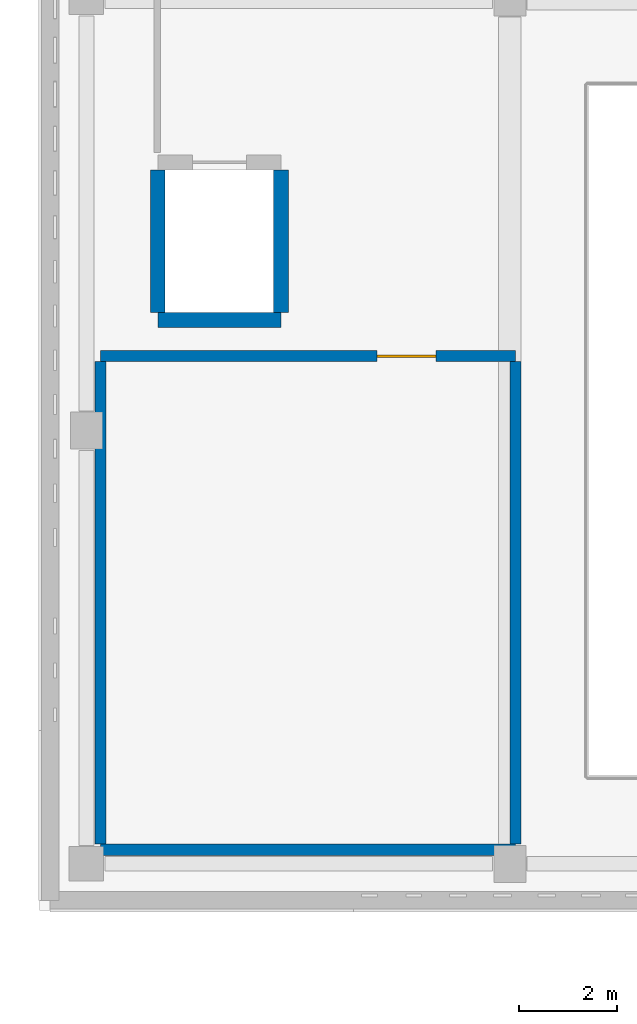
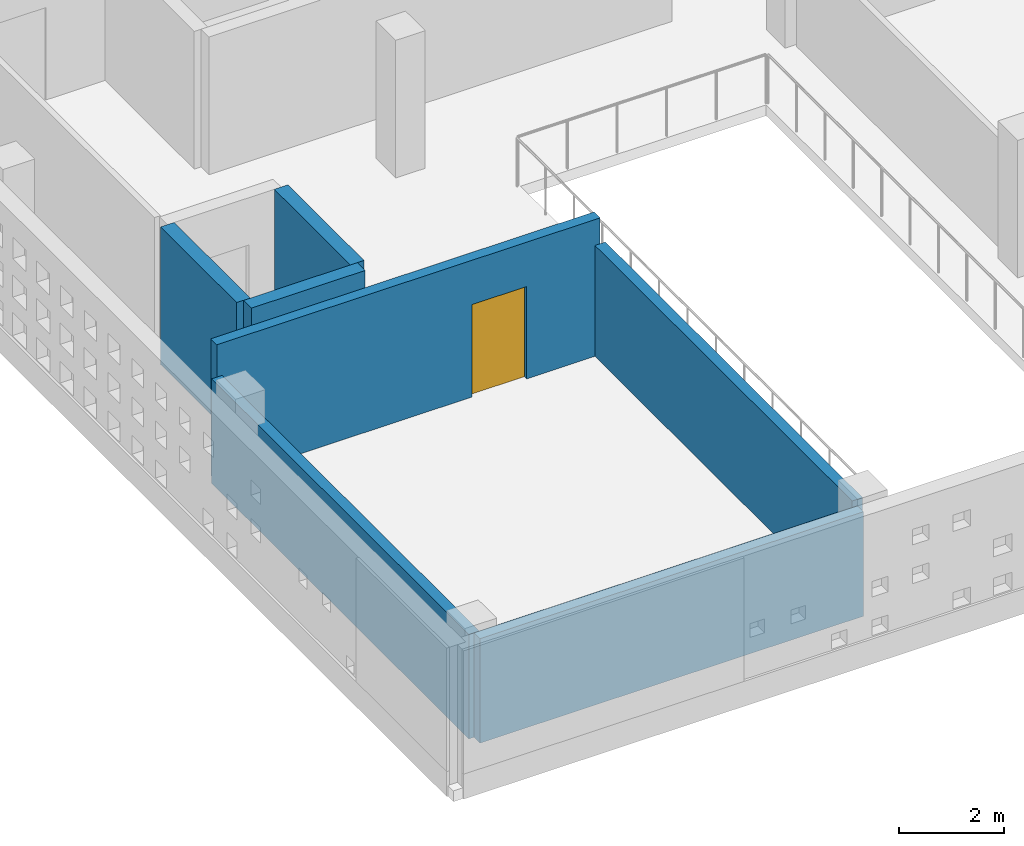
# One storey, part 39 of 55: 7 walls, 1 door, 1 opening.
"""IFC4 building model written with IfcOpenShell, lengths in metres."""

import ifcopenshell
import ifcopenshell.guid

model = None  # the IFC model being written
_history = None  # IfcOwnerHistory: only IFC2X3 demands one
_inside = {}  # id of a spatial element -> (the spatial element, [elements in it])
_under = {}  # id of a project, library or spatial element -> (it, [spatial elements below it])
_declared = {}  # id of a project -> (the project, [libraries it declares])
_typed = {}  # id of a type object -> (the type object, [elements of that type])
_made_of = {}  # id of a material, layer set ... -> (it, [elements and type objects made of it])


def new_model(schema):
    """Start an empty IFC model of exactly this schema.

    Asked for "IFC4X3", IfcOpenShell would pick the latest addendum, in which some entities
    have other attributes; the version numbers below select the first issue.
    IFC2X3 requires an IfcOwnerHistory on every rooted entity: one is made here for all.
    """
    global model, _history
    if schema == "IFC4X3":
        model = ifcopenshell.file(schema_version=(4, 3, 0, 0))
    else:
        model = ifcopenshell.file(schema=schema)
    _inside.clear()
    _under.clear()
    _declared.clear()
    _typed.clear()
    _made_of.clear()
    _history = None
    if model.schema == "IFC2X3":
        org = make("IfcOrganization", Name="unknown")
        user = make(
            "IfcPersonAndOrganization",
            ThePerson=make("IfcPerson", FamilyName="unknown"),
            TheOrganization=org,
        )
        app = make(
            "IfcApplication",
            ApplicationDeveloper=org,
            Version="unknown",
            ApplicationFullName="unknown",
            ApplicationIdentifier="unknown",
        )
        _history = make(
            "IfcOwnerHistory",
            OwningUser=user,
            OwningApplication=app,
            ChangeAction="ADDED",
            CreationDate=0,
        )
    return model


def make(cls, **values):
    """One entity of the class cls with the attributes given. An attribute that is None is left unset."""
    return model.create_entity(
        cls, **{name: value for name, value in values.items() if value is not None}
    )


def rooted(cls, **values):
    """An entity with a GlobalId (a new one), such as an element, a storey or a relation."""
    return make(cls, GlobalId=ifcopenshell.guid.new(), OwnerHistory=_history, **values)


def si_unit(unit_type, name, prefix=None):
    """IfcSIUnit, for example si_unit("LENGTHUNIT", "METRE", prefix="MILLI")."""
    return make("IfcSIUnit", UnitType=unit_type, Prefix=prefix, Name=name)


def assignment(units):
    """IfcUnitAssignment: the units of a project."""
    return None if units is None else make("IfcUnitAssignment", Units=units)


def point(xyz):
    """IfcCartesianPoint."""
    return None if xyz is None else make("IfcCartesianPoint", Coordinates=xyz)


def direction(xyz):
    """IfcDirection."""
    return None if xyz is None else make("IfcDirection", DirectionRatios=xyz)


def frame(location, z_axis=None, x_axis=None):
    """IfcAxis2Placement3D, a coordinate frame: its origin and axes. An axis left out is left unset."""
    return make(
        "IfcAxis2Placement3D",
        Location=point(location),
        Axis=direction(z_axis),
        RefDirection=direction(x_axis),
    )


def frame_2d(location, x_axis=None):
    """IfcAxis2Placement2D, a coordinate frame in the plane: its origin and x axis."""
    return make(
        "IfcAxis2Placement2D", Location=point(location), RefDirection=direction(x_axis)
    )


def origin():
    """The frame at (0, 0, 0) with its axes left unset."""
    return frame((0.0, 0.0, 0.0))


def place(relative_to, where):
    """IfcLocalPlacement: puts the frame where relative to a parent placement (None: the world)."""
    return make(
        "IfcLocalPlacement", PlacementRelTo=relative_to, RelativePlacement=where
    )


def context(
    kind, dimensions, precision=None, world=None, true_north=None, identifier=None
):
    """IfcGeometricRepresentationContext, for example the 3D "Model" context."""
    return make(
        "IfcGeometricRepresentationContext",
        ContextIdentifier=identifier,
        ContextType=kind,
        CoordinateSpaceDimension=dimensions,
        Precision=precision,
        WorldCoordinateSystem=world,
        TrueNorth=true_north,
    )


def subcontext(parent, identifier, kind, view, scale=None):
    """IfcGeometricRepresentationSubContext, for example "Body" below "Model"."""
    return make(
        "IfcGeometricRepresentationSubContext",
        ContextIdentifier=identifier,
        ContextType=kind,
        ParentContext=parent,
        TargetScale=scale,
        TargetView=view,
    )


def project(units=None, contexts=None):
    """IfcProject with its units and contexts."""
    return rooted(
        "IfcProject",
        Name="project",
        RepresentationContexts=contexts,
        UnitsInContext=assignment(units),
    )


def spatial(cls, under=None, at=None, **own):
    """A site, building, storey or space (cls), placed at a placement, below another one or the project."""
    s = rooted(cls, ObjectPlacement=at, **own)
    if under is not None:
        _under.setdefault(under.id(), (under, []))[1].append(s)
    return s


def profile(cls, at=None, kind="AREA", **sizes):
    """A parametric profile (cls). Its sizes go by their IFC names, for example OverallWidth=200.0."""
    return make(cls, ProfileType=kind, Position=at, **sizes)


def rectangle(**sizes):
    """IfcRectangleProfileDef."""
    return profile("IfcRectangleProfileDef", **sizes)


def extrude(swept, where, along, depth):
    """IfcExtrudedAreaSolid: the profile swept, set in the frame where, extruded along a direction by depth."""
    return make(
        "IfcExtrudedAreaSolid",
        SweptArea=swept,
        Position=where,
        ExtrudedDirection=direction(along),
        Depth=depth,
    )


def shape(context_of_items, identifier, shape_type, items):
    """IfcShapeRepresentation: the items that make up one representation, for example the "Body"."""
    return make(
        "IfcShapeRepresentation",
        ContextOfItems=context_of_items,
        RepresentationIdentifier=identifier,
        RepresentationType=shape_type,
        Items=items,
    )


def material(Name=None, Category=None):
    """IfcMaterial."""
    return make("IfcMaterial", Name=Name, Category=Category)


def layer(
    of_material, thickness, ventilated=None, Name=None, Category=None, Priority=None
):
    """IfcMaterialLayer: one layer of a wall or slab, of a material (None: an air gap)."""
    return make(
        "IfcMaterialLayer",
        Material=of_material,
        LayerThickness=thickness,
        IsVentilated=ventilated,
        Name=Name,
        Category=Category,
        Priority=Priority,
    )


def layer_set(layers, Name=None):
    """IfcMaterialLayerSet."""
    return make("IfcMaterialLayerSet", MaterialLayers=layers, LayerSetName=Name)


def made_of(thing, what):
    """Note that an element or type object is made of a material, layer set ...; save() writes the relation."""
    if what is not None:
        _made_of.setdefault(what.id(), (what, []))[1].append(thing)
    return thing


def type_object(cls, material=None, **own):
    """A type object (cls), such as IfcWallType, which elements share."""
    return made_of(rooted(cls, **own), material)


def element(
    cls,
    number,
    at=None,
    inside=None,
    cuts=None,
    type_object=None,
    material=None,
    context=None,
    identifier="Body",
    shape_type=None,
    held_by="IfcProductDefinitionShape",
    body=None,
    shapes=None,
    **own,
):
    """One element of the class cls, such as IfcWall. Its Tag is "e" and its number.

    at: its placement. inside: the storey or other place that contains it. cuts: it is an
    opening in that element (IfcRelVoidsElement). A single representation is given by context,
    identifier, shape_type and body (its items); several are given by shapes. held_by: the class
    of the entity that holds the representations. save() writes the other relations.
    """
    e = rooted(cls, Tag="e%d" % number, ObjectPlacement=at, **own)
    if body is not None:
        shapes = [shape(context, identifier, shape_type, body)]
    if shapes is not None:
        e.Representation = make(held_by, Representations=shapes)
    if inside is not None:
        _inside.setdefault(inside.id(), (inside, []))[1].append(e)
    if cuts is not None:
        rooted(
            "IfcRelVoidsElement", RelatingBuildingElement=cuts, RelatedOpeningElement=e
        )
    if type_object is not None:
        _typed.setdefault(type_object.id(), (type_object, []))[1].append(e)
    return made_of(e, material)


def fill(opening, filler):
    """IfcRelFillsElement: the door or window that sits in an opening."""
    return rooted(
        "IfcRelFillsElement",
        RelatingOpeningElement=opening,
        RelatedBuildingElement=filler,
    )


def aggregate(whole, parts):
    """IfcRelAggregates: a whole, such as a stair, and the parts it consists of."""
    return rooted("IfcRelAggregates", RelatingObject=whole, RelatedObjects=parts)


def save(model, path):
    """Write the relations noted so far, then the file.

    IfcRelAggregates (storeys below a building ...), IfcRelContainedInSpatialStructure (elements
    in a storey), IfcRelDefinesByType, IfcRelAssociatesMaterial and IfcRelDeclares: one each for
    every whole, place, type object, material and project.
    """
    for whole, parts in _under.values():
        aggregate(whole, parts)
    for where, things in _inside.values():
        rooted(
            "IfcRelContainedInSpatialStructure",
            RelatedElements=things,
            RelatingStructure=where,
        )
    for kind, things in _typed.values():
        rooted("IfcRelDefinesByType", RelatedObjects=things, RelatingType=kind)
    for what, things in _made_of.values():
        rooted("IfcRelAssociatesMaterial", RelatedObjects=things, RelatingMaterial=what)
    for by, libraries in _declared.values():
        rooted("IfcRelDeclares", RelatingContext=by, RelatedDefinitions=libraries)
    model.write(path)


model = new_model("IFC4")

# Units and contexts
model_context = context("Model", 3, precision=1e-05, world=origin(), true_north=direction((0.0, 1.0)))
body_context = subcontext(model_context, "Body", "Model", "MODEL_VIEW")
ifc_project = project(units=[si_unit("LENGTHUNIT", "METRE"), si_unit("AREAUNIT", "SQUARE_METRE"), si_unit("VOLUMEUNIT", "CUBIC_METRE"), si_unit("PLANEANGLEUNIT", "RADIAN"), si_unit("MASSUNIT", "GRAM", prefix="KILO")], contexts=[model_context])

# Site, building, storey
site_placement = place(None, origin())
site = spatial("IfcSite", under=ifc_project, at=site_placement, CompositionType="ELEMENT")
building_placement = place(site_placement, origin())
building = spatial("IfcBuilding", under=site, at=building_placement, Name="Varnakota Cinema and Media Centre", CompositionType="ELEMENT")
storey_placement = place(building_placement, frame((0.0, 0.0, 15.60009765625)))
storey = spatial("IfcBuildingStorey", under=building, at=storey_placement, Name="L04", CompositionType="ELEMENT", Elevation=15.60009765625)

# Walls
ifc_material_1 = material(Name="Autoclaved aerated concrete blockwork", Category="masonry")
ifc_layer_1 = layer(ifc_material_1, 0.22998046875)
ifc_layer_set_1 = layer_set([ifc_layer_1], Name="Autoclaved aerated concrete blockwork")
wall_type_1 = type_object("IfcWallType", Name="W-BOX-230", PredefinedType="PARTITIONING", material=ifc_layer_set_1)
wall_1_placement = place(storey_placement, frame((8.715087890625, 0.284912109375, 0.0), z_axis=(0.0, 0.0, 1.0), x_axis=(-1.0, 0.0, 0.0)))
element("IfcWall", 1, at=wall_1_placement, inside=storey, type_object=wall_type_1, Name="L04 RWALL-RM-L04-SCRL4 S wall", PredefinedType="PARTITIONING", context=body_context, shape_type="SweptSolid", body=[
    extrude(rectangle(XDim=8.43017578125, YDim=0.22998046875, at=frame_2d((4.215087890625, 0.0))), origin(), (0.0, 0.0, 1.0), 2.429931640625),
])
wall_2_placement = place(storey_placement, frame((0.284912109375, 0.39990234375, 0.0), z_axis=(0.0, 0.0, 1.0), x_axis=(0.0, 1.0, 0.0)))
element("IfcWall", 2, at=wall_2_placement, inside=storey, type_object=wall_type_1, Name="L04 RWALL-RM-L04-SCRL4 W wall", PredefinedType="PARTITIONING", context=body_context, shape_type="SweptSolid", body=[
    extrude(rectangle(XDim=9.800048828125, YDim=0.22998046875, at=frame_2d((4.89990234375, 0.0))), origin(), (0.0, 0.0, 1.0), 2.429931640625),
])

# Wall, opening, door
wall_3_placement = place(storey_placement, frame((0.284912109375, 10.31494140625, 0.0), z_axis=(0.0, 0.0, 1.0), x_axis=(1.0, 0.0, 0.0)))
wall_3 = element("IfcWall", 3, at=wall_3_placement, inside=storey, type_object=wall_type_1, Name="L04 RWALL-RM-L04-SCRL4 N wall", PredefinedType="PARTITIONING", context=body_context, shape_type="SweptSolid", body=[
    extrude(rectangle(XDim=8.43017578125, YDim=0.22998046875, at=frame_2d((4.215087890625, 0.0))), origin(), (0.0, 0.0, 1.0), 3.179931640625),
])
opening_placement = place(wall_3_placement, frame((5.614990234375, 0.0, 0.0)))
opening = element("IfcOpeningElement", 4, at=opening_placement, cuts=wall_3, Name="Opening D-100", PredefinedType="OPENING", context=body_context, shape_type="SweptSolid", body=[
    extrude(rectangle(XDim=1.199951171875, YDim=2.14990234375, at=frame_2d((0.60009765625, 1.074951171875))), frame((0.0, 0.114990234375, 0.0), z_axis=(0.0, -1.0, 0.0), x_axis=(1.0, 0.0, 0.0)), (0.0, 0.0, 1.0), 0.22998046875),
])
ifc_material_2 = material(Name="Thermally broken anodised aluminium AW-6063", Category="aluminium")
door_type = type_object("IfcDoorType", Name="DR-STD-1200x2150", OperationType="NOTDEFINED", PredefinedType="DOOR", material=ifc_material_2)
door_placement = place(opening_placement, origin())
door = element("IfcDoor", 5, at=door_placement, inside=storey, type_object=door_type, Name="L04 door D-100", OperationType="SINGLE_SWING_RIGHT", OverallHeight=2.14990234375, OverallWidth=1.199951171875, PredefinedType="DOOR", context=body_context, shape_type="SweptSolid", body=[
    extrude(rectangle(XDim=1.199951171875, YDim=2.14990234375, at=frame_2d((0.60009765625, 1.074951171875))), frame((0.0, 0.02490234375, 0.0), z_axis=(0.0, -1.0, 0.0), x_axis=(1.0, 0.0, 0.0)), (0.0, 0.0, 1.0), 0.050048828125),
])
fill(opening, door)

# Walls
wall_4_placement = place(storey_placement, frame((8.715087890625, 10.199951171875, 0.0), z_axis=(0.0, 0.0, 1.0), x_axis=(0.0, -1.0, 0.0)))
element("IfcWall", 6, at=wall_4_placement, inside=storey, type_object=wall_type_1, Name="L04 RWALL-RM-L04-SCRL4 E wall", PredefinedType="PARTITIONING", context=body_context, shape_type="SweptSolid", body=[
    extrude(rectangle(XDim=9.800048828125, YDim=0.22998046875, at=frame_2d((4.89990234375, 0.0))), origin(), (0.0, 0.0, 1.0), 2.579833984375),
])
ifc_material_3 = material(Name="Concrete M40", Category="concrete")
ifc_layer_2 = layer(ifc_material_3, 0.300048828125)
ifc_layer_set_2 = layer_set([ifc_layer_2], Name="Concrete M40")
wall_type_2 = type_object("IfcWallType", Name="W-CORE-300", PredefinedType="SHEAR", material=ifc_layer_set_2)
wall_5_placement = place(storey_placement, frame((3.949951171875, 11.050048828125, 0.0), z_axis=(0.0, 0.0, 1.0), x_axis=(-1.0, 0.0, 0.0)))
element("IfcWall", 7, at=wall_5_placement, inside=storey, type_object=wall_type_2, Name="L04 LSHAFT-LF-01-L04 S wall", PredefinedType="SHEAR", context=body_context, shape_type="SweptSolid", body=[
    extrude(rectangle(XDim=2.5, YDim=0.300048828125, at=frame_2d((1.25, 0.0))), origin(), (0.0, 0.0, 1.0), 3.199951171875),
])
for number, where, z_axis, x_axis, name in (
    (8, (1.449951171875, 11.199951171875, 0.0), (0.0, 0.0, 1.0), (0.0, 1.0, 0.0), "L04 LSHAFT-LF-01-L04 W wall"),
    (9, (3.949951171875, 14.10009765625, 0.0), (0.0, 0.0, 1.0), (0.0, -1.0, 0.0), "L04 LSHAFT-LF-01-L04 E wall"),
):
    element("IfcWall", number, at=place(storey_placement, frame(where, z_axis=z_axis, x_axis=x_axis)), inside=storey, type_object=wall_type_2, Name=name, PredefinedType="SHEAR", context=body_context, shape_type="SweptSolid", body=[
        extrude(rectangle(XDim=2.900146484375, YDim=0.300048828125, at=frame_2d((1.4501953125, 0.0))), origin(), (0.0, 0.0, 1.0), 3.199951171875),
    ])

save(model, "model.ifc")
